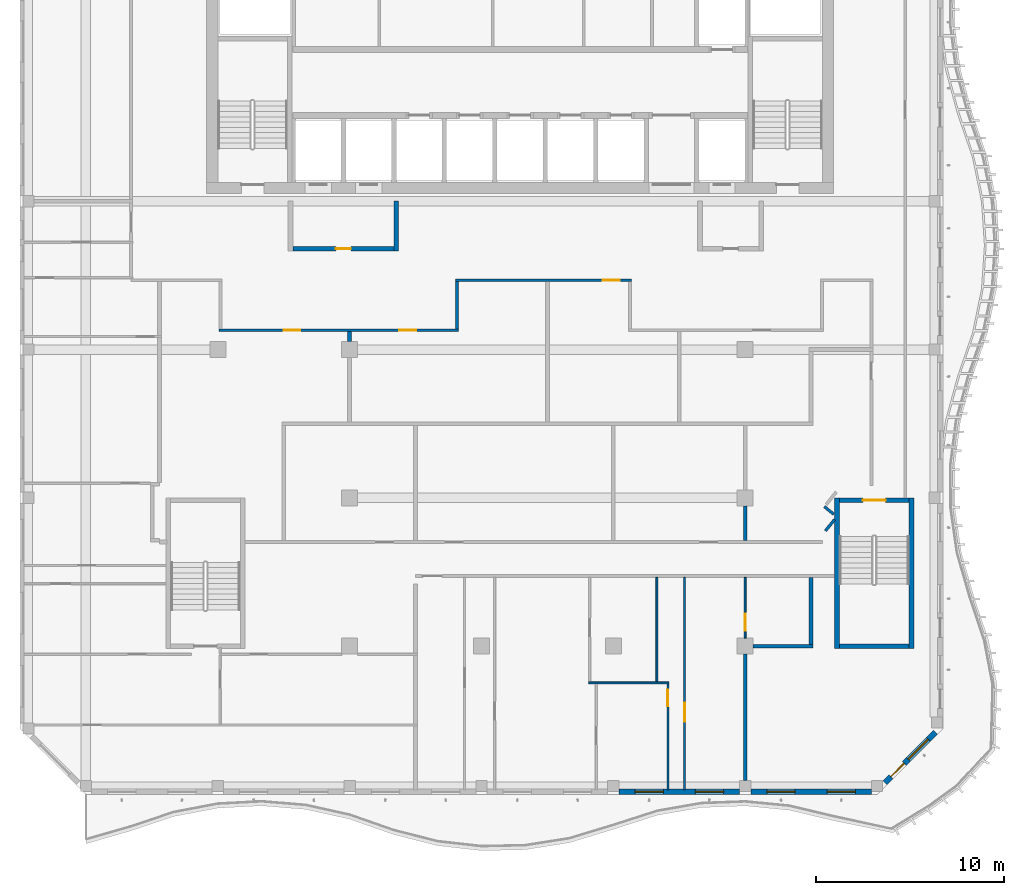
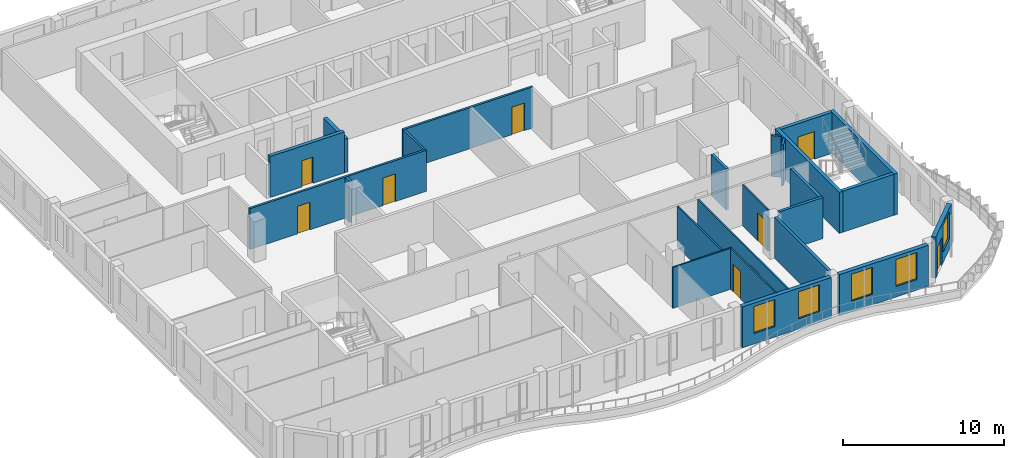
# One storey, part 4 of 17: 24 walls, 9 doors, 5 windows, 14 openings.
"""IFC4 building model written with IfcOpenShell, lengths in metres."""

import ifcopenshell
import ifcopenshell.guid

model = None  # the IFC model being written
_history = None  # IfcOwnerHistory: only IFC2X3 demands one
_inside = {}  # id of a spatial element -> (the spatial element, [elements in it])
_under = {}  # id of a project, library or spatial element -> (it, [spatial elements below it])
_declared = {}  # id of a project -> (the project, [libraries it declares])
_typed = {}  # id of a type object -> (the type object, [elements of that type])
_made_of = {}  # id of a material, layer set ... -> (it, [elements and type objects made of it])


def new_model(schema):
    """Start an empty IFC model of exactly this schema.

    Asked for "IFC4X3", IfcOpenShell would pick the latest addendum, in which some entities
    have other attributes; the version numbers below select the first issue.
    IFC2X3 requires an IfcOwnerHistory on every rooted entity: one is made here for all.
    """
    global model, _history
    if schema == "IFC4X3":
        model = ifcopenshell.file(schema_version=(4, 3, 0, 0))
    else:
        model = ifcopenshell.file(schema=schema)
    _inside.clear()
    _under.clear()
    _declared.clear()
    _typed.clear()
    _made_of.clear()
    _history = None
    if model.schema == "IFC2X3":
        org = make("IfcOrganization", Name="unknown")
        user = make(
            "IfcPersonAndOrganization",
            ThePerson=make("IfcPerson", FamilyName="unknown"),
            TheOrganization=org,
        )
        app = make(
            "IfcApplication",
            ApplicationDeveloper=org,
            Version="unknown",
            ApplicationFullName="unknown",
            ApplicationIdentifier="unknown",
        )
        _history = make(
            "IfcOwnerHistory",
            OwningUser=user,
            OwningApplication=app,
            ChangeAction="ADDED",
            CreationDate=0,
        )
    return model


def make(cls, **values):
    """One entity of the class cls with the attributes given. An attribute that is None is left unset."""
    return model.create_entity(
        cls, **{name: value for name, value in values.items() if value is not None}
    )


def rooted(cls, **values):
    """An entity with a GlobalId (a new one), such as an element, a storey or a relation."""
    return make(cls, GlobalId=ifcopenshell.guid.new(), OwnerHistory=_history, **values)


def si_unit(unit_type, name, prefix=None):
    """IfcSIUnit, for example si_unit("LENGTHUNIT", "METRE", prefix="MILLI")."""
    return make("IfcSIUnit", UnitType=unit_type, Prefix=prefix, Name=name)


def assignment(units):
    """IfcUnitAssignment: the units of a project."""
    return None if units is None else make("IfcUnitAssignment", Units=units)


def point(xyz):
    """IfcCartesianPoint."""
    return None if xyz is None else make("IfcCartesianPoint", Coordinates=xyz)


def direction(xyz):
    """IfcDirection."""
    return None if xyz is None else make("IfcDirection", DirectionRatios=xyz)


def frame(location, z_axis=None, x_axis=None):
    """IfcAxis2Placement3D, a coordinate frame: its origin and axes. An axis left out is left unset."""
    return make(
        "IfcAxis2Placement3D",
        Location=point(location),
        Axis=direction(z_axis),
        RefDirection=direction(x_axis),
    )


def frame_2d(location, x_axis=None):
    """IfcAxis2Placement2D, a coordinate frame in the plane: its origin and x axis."""
    return make(
        "IfcAxis2Placement2D", Location=point(location), RefDirection=direction(x_axis)
    )


def origin():
    """The frame at (0, 0, 0) with its axes left unset."""
    return frame((0.0, 0.0, 0.0))


def place(relative_to, where):
    """IfcLocalPlacement: puts the frame where relative to a parent placement (None: the world)."""
    return make(
        "IfcLocalPlacement", PlacementRelTo=relative_to, RelativePlacement=where
    )


def context(
    kind, dimensions, precision=None, world=None, true_north=None, identifier=None
):
    """IfcGeometricRepresentationContext, for example the 3D "Model" context."""
    return make(
        "IfcGeometricRepresentationContext",
        ContextIdentifier=identifier,
        ContextType=kind,
        CoordinateSpaceDimension=dimensions,
        Precision=precision,
        WorldCoordinateSystem=world,
        TrueNorth=true_north,
    )


def subcontext(parent, identifier, kind, view, scale=None):
    """IfcGeometricRepresentationSubContext, for example "Body" below "Model"."""
    return make(
        "IfcGeometricRepresentationSubContext",
        ContextIdentifier=identifier,
        ContextType=kind,
        ParentContext=parent,
        TargetScale=scale,
        TargetView=view,
    )


def project(units=None, contexts=None):
    """IfcProject with its units and contexts."""
    return rooted(
        "IfcProject",
        Name="project",
        RepresentationContexts=contexts,
        UnitsInContext=assignment(units),
    )


def spatial(cls, under=None, at=None, **own):
    """A site, building, storey or space (cls), placed at a placement, below another one or the project."""
    s = rooted(cls, ObjectPlacement=at, **own)
    if under is not None:
        _under.setdefault(under.id(), (under, []))[1].append(s)
    return s


def profile(cls, at=None, kind="AREA", **sizes):
    """A parametric profile (cls). Its sizes go by their IFC names, for example OverallWidth=200.0."""
    return make(cls, ProfileType=kind, Position=at, **sizes)


def rectangle(**sizes):
    """IfcRectangleProfileDef."""
    return profile("IfcRectangleProfileDef", **sizes)


def extrude(swept, where, along, depth):
    """IfcExtrudedAreaSolid: the profile swept, set in the frame where, extruded along a direction by depth."""
    return make(
        "IfcExtrudedAreaSolid",
        SweptArea=swept,
        Position=where,
        ExtrudedDirection=direction(along),
        Depth=depth,
    )


def shape(context_of_items, identifier, shape_type, items):
    """IfcShapeRepresentation: the items that make up one representation, for example the "Body"."""
    return make(
        "IfcShapeRepresentation",
        ContextOfItems=context_of_items,
        RepresentationIdentifier=identifier,
        RepresentationType=shape_type,
        Items=items,
    )


def source(mapping_origin, context_of_items, identifier, shape_type, items):
    """IfcRepresentationMap: a shape defined once, which mapped items show again and again."""
    return make(
        "IfcRepresentationMap",
        MappingOrigin=mapping_origin,
        MappedRepresentation=shape(context_of_items, identifier, shape_type, items),
    )


def transform(
    local_origin,
    x_axis=None,
    y_axis=None,
    z_axis=None,
    scale=None,
    scale2=None,
    scale3=None,
    uniform=True,
):
    """IfcCartesianTransformationOperator3D, or its non-uniform kind. x_axis, y_axis, z_axis: its Axis1, 2, 3."""
    if uniform:
        return make(
            "IfcCartesianTransformationOperator3D",
            Axis1=direction(x_axis),
            Axis2=direction(y_axis),
            LocalOrigin=point(local_origin),
            Scale=scale,
            Axis3=direction(z_axis),
        )
    return make(
        "IfcCartesianTransformationOperator3DnonUniform",
        Axis1=direction(x_axis),
        Axis2=direction(y_axis),
        LocalOrigin=point(local_origin),
        Scale=scale,
        Axis3=direction(z_axis),
        Scale2=scale2,
        Scale3=scale3,
    )


def mapped(mapping_source, mapping_target):
    """IfcMappedItem: shows the shape of a source again, moved by a transform."""
    return make(
        "IfcMappedItem", MappingSource=mapping_source, MappingTarget=mapping_target
    )


def material(Name=None, Category=None):
    """IfcMaterial."""
    return make("IfcMaterial", Name=Name, Category=Category)


def layer(
    of_material, thickness, ventilated=None, Name=None, Category=None, Priority=None
):
    """IfcMaterialLayer: one layer of a wall or slab, of a material (None: an air gap)."""
    return make(
        "IfcMaterialLayer",
        Material=of_material,
        LayerThickness=thickness,
        IsVentilated=ventilated,
        Name=Name,
        Category=Category,
        Priority=Priority,
    )


def layer_set(layers, Name=None):
    """IfcMaterialLayerSet."""
    return make("IfcMaterialLayerSet", MaterialLayers=layers, LayerSetName=Name)


def made_of(thing, what):
    """Note that an element or type object is made of a material, layer set ...; save() writes the relation."""
    if what is not None:
        _made_of.setdefault(what.id(), (what, []))[1].append(thing)
    return thing


def type_object(cls, material=None, **own):
    """A type object (cls), such as IfcWallType, which elements share."""
    return made_of(rooted(cls, **own), material)


def element(
    cls,
    number,
    at=None,
    inside=None,
    cuts=None,
    type_object=None,
    material=None,
    context=None,
    identifier="Body",
    shape_type=None,
    held_by="IfcProductDefinitionShape",
    body=None,
    shapes=None,
    **own,
):
    """One element of the class cls, such as IfcWall. Its Tag is "e" and its number.

    at: its placement. inside: the storey or other place that contains it. cuts: it is an
    opening in that element (IfcRelVoidsElement). A single representation is given by context,
    identifier, shape_type and body (its items); several are given by shapes. held_by: the class
    of the entity that holds the representations. save() writes the other relations.
    """
    e = rooted(cls, Tag="e%d" % number, ObjectPlacement=at, **own)
    if body is not None:
        shapes = [shape(context, identifier, shape_type, body)]
    if shapes is not None:
        e.Representation = make(held_by, Representations=shapes)
    if inside is not None:
        _inside.setdefault(inside.id(), (inside, []))[1].append(e)
    if cuts is not None:
        rooted(
            "IfcRelVoidsElement", RelatingBuildingElement=cuts, RelatedOpeningElement=e
        )
    if type_object is not None:
        _typed.setdefault(type_object.id(), (type_object, []))[1].append(e)
    return made_of(e, material)


def fill(opening, filler):
    """IfcRelFillsElement: the door or window that sits in an opening."""
    return rooted(
        "IfcRelFillsElement",
        RelatingOpeningElement=opening,
        RelatedBuildingElement=filler,
    )


def aggregate(whole, parts):
    """IfcRelAggregates: a whole, such as a stair, and the parts it consists of."""
    return rooted("IfcRelAggregates", RelatingObject=whole, RelatedObjects=parts)


def save(model, path):
    """Write the relations noted so far, then the file.

    IfcRelAggregates (storeys below a building ...), IfcRelContainedInSpatialStructure (elements
    in a storey), IfcRelDefinesByType, IfcRelAssociatesMaterial and IfcRelDeclares: one each for
    every whole, place, type object, material and project.
    """
    for whole, parts in _under.values():
        aggregate(whole, parts)
    for where, things in _inside.values():
        rooted(
            "IfcRelContainedInSpatialStructure",
            RelatedElements=things,
            RelatingStructure=where,
        )
    for kind, things in _typed.values():
        rooted("IfcRelDefinesByType", RelatedObjects=things, RelatingType=kind)
    for what, things in _made_of.values():
        rooted("IfcRelAssociatesMaterial", RelatedObjects=things, RelatingMaterial=what)
    for by, libraries in _declared.values():
        rooted("IfcRelDeclares", RelatingContext=by, RelatedDefinitions=libraries)
    model.write(path)


model = new_model("IFC4")

# Units and contexts
model_context = context("Model", 3, precision=1e-05, world=origin(), true_north=direction((0.0, 1.0)))
body_context = subcontext(model_context, "Body", "Model", "MODEL_VIEW")
ifc_project = project(units=[si_unit("LENGTHUNIT", "METRE"), si_unit("AREAUNIT", "SQUARE_METRE"), si_unit("VOLUMEUNIT", "CUBIC_METRE"), si_unit("PLANEANGLEUNIT", "RADIAN"), si_unit("MASSUNIT", "GRAM", prefix="KILO")], contexts=[model_context])

# Site, building, storey
site_placement = place(None, origin())
site = spatial("IfcSite", under=ifc_project, at=site_placement, CompositionType="ELEMENT")
building_placement = place(site_placement, origin())
building = spatial("IfcBuilding", under=site, at=building_placement, Name="Kilnfold Tower and Market Hall", CompositionType="ELEMENT")
storey_placement = place(building_placement, frame((0.0, 0.0, 305.199951171875)))
storey = spatial("IfcBuildingStorey", under=building, at=storey_placement, Name="L76", CompositionType="ELEMENT", Elevation=305.199951171875)

# Wall, openings, doors
ifc_material_1 = material(Name="Gypsum board on steel studs", Category="steel")
ifc_layer_1 = layer(ifc_material_1, 0.14990234375)
ifc_layer_set_1 = layer_set([ifc_layer_1], Name="Gypsum board on steel studs")
wall_type_1 = type_object("IfcWallType", Name="WALL CORRIDOR 150", PredefinedType="PARTITIONING", material=ifc_layer_set_1)
wall_1_placement = place(storey_placement, frame((-14.93505859375, 1.14990234375, 0.0), z_axis=(0.0, 0.0, 1.0), x_axis=(1.0, 0.0, 0.0)))
wall_1 = element("IfcWall", 1, at=wall_1_placement, inside=storey, type_object=wall_type_1, Name="Partition LY46.10", PredefinedType="PARTITIONING", context=body_context, shape_type="SweptSolid", body=[
    extrude(rectangle(XDim=12.7099609375, YDim=0.14990234375, at=frame_2d((6.35498046875, 0.0))), origin(), (0.0, 0.0, 1.0), 3.1201171875),
])
opening_1_placement = place(wall_1_placement, frame((3.426025390625, 0.0, 0.0)))
opening_1 = element("IfcOpeningElement", 2, at=opening_1_placement, cuts=wall_1, Name="Opening D2", PredefinedType="OPENING", context=body_context, shape_type="SweptSolid", body=[
    extrude(rectangle(XDim=0.89990234375, YDim=2.10009765625, at=frame_2d((0.449951171875, 1.050048828125))), frame((0.0, 0.0849609375, 0.0), z_axis=(0.0, -1.0, 0.0), x_axis=(1.0, 0.0, 0.0)), (0.0, 0.0, 1.0), 0.169921875),
])
opening_2_placement = place(wall_1_placement, frame((9.571044921875, 0.0, 0.0)))
opening_2 = element("IfcOpeningElement", 3, at=opening_2_placement, cuts=wall_1, Name="Opening D2", PredefinedType="OPENING", context=body_context, shape_type="SweptSolid", body=[
    extrude(rectangle(XDim=0.89990234375, YDim=2.10009765625, at=frame_2d((0.449951171875, 1.050048828125))), frame((0.0, 0.0849609375, 0.0), z_axis=(0.0, -1.0, 0.0), x_axis=(1.0, 0.0, 0.0)), (0.0, 0.0, 1.0), 0.169921875),
])
ifc_material_2 = material(Name="Timber veneer door leaf in steel frame", Category="steel")
door_type_1 = type_object("IfcDoorType", Name="DOOR ROOM 900 X2100", OperationType="NOTDEFINED", PredefinedType="DOOR", material=ifc_material_2)
door_1_placement = place(opening_1_placement, origin())
door_1 = element("IfcDoor", 4, at=door_1_placement, inside=storey, type_object=door_type_1, Name="Door D2", OperationType="SINGLE_SWING_LEFT", OverallHeight=2.10009765625, OverallWidth=0.89990234375, PredefinedType="DOOR", context=body_context, shape_type="SweptSolid", body=[
    extrude(rectangle(XDim=0.89990234375, YDim=2.10009765625, at=frame_2d((0.449951171875, 1.050048828125))), frame((0.0, 0.02490234375, 0.0), z_axis=(0.0, -1.0, 0.0), x_axis=(1.0, 0.0, 0.0)), (0.0, 0.0, 1.0), 0.050048828125),
])
fill(opening_1, door_1)
door_2_placement = place(opening_2_placement, origin())
door_2 = element("IfcDoor", 5, at=door_2_placement, inside=storey, type_object=door_type_1, Name="Door D2", OperationType="SINGLE_SWING_LEFT", OverallHeight=2.10009765625, OverallWidth=0.89990234375, PredefinedType="DOOR", context=body_context, shape_type="SweptSolid", body=[
    extrude(rectangle(XDim=0.89990234375, YDim=2.10009765625, at=frame_2d((0.449951171875, 1.050048828125))), frame((0.0, 0.02490234375, 0.0), z_axis=(0.0, -1.0, 0.0), x_axis=(1.0, 0.0, 0.0)), (0.0, 0.0, 1.0), 0.050048828125),
])
fill(opening_2, door_2)

# Wall, opening, door
wall_2_placement = place(storey_placement, frame((-2.375, 3.800048828125, 0.0), z_axis=(0.0, 0.0, 1.0), x_axis=(1.0, 0.0, 0.0)))
wall_2 = element("IfcWall", 6, at=wall_2_placement, inside=storey, type_object=wall_type_1, Name="Partition LY46.13", PredefinedType="PARTITIONING", context=body_context, shape_type="SweptSolid", body=[
    extrude(rectangle(XDim=9.330078125, YDim=0.14990234375, at=frame_2d((4.6650390625, 0.0))), origin(), (0.0, 0.0, 1.0), 3.1201171875),
])
opening_3_placement = place(wall_2_placement, frame((7.822021484375, 0.0, 0.0)))
opening_3 = element("IfcOpeningElement", 7, at=opening_3_placement, cuts=wall_2, Name="Opening D2", PredefinedType="OPENING", context=body_context, shape_type="SweptSolid", body=[
    extrude(rectangle(XDim=0.89990234375, YDim=2.10009765625, at=frame_2d((0.449951171875, 1.050048828125))), frame((0.0, 0.0849609375, 0.0), z_axis=(0.0, -1.0, 0.0), x_axis=(1.0, 0.0, 0.0)), (0.0, 0.0, 1.0), 0.169921875),
])
door_3_placement = place(opening_3_placement, origin())
door_3 = element("IfcDoor", 8, at=door_3_placement, inside=storey, type_object=door_type_1, Name="Door D2", OperationType="SINGLE_SWING_RIGHT", OverallHeight=2.10009765625, OverallWidth=0.89990234375, PredefinedType="DOOR", context=body_context, shape_type="SweptSolid", body=[
    extrude(rectangle(XDim=0.89990234375, YDim=2.10009765625, at=frame_2d((0.449951171875, 1.050048828125))), frame((0.0, 0.02490234375, 0.0), z_axis=(0.0, -1.0, 0.0), x_axis=(1.0, 0.0, 0.0)), (0.0, 0.0, 1.0), 0.050048828125),
])
fill(opening_3, door_3)

# Walls
wall_3_placement = place(storey_placement, frame((-2.300048828125, 1.22509765625, 0.0), z_axis=(0.0, 0.0, 1.0), x_axis=(0.0, 1.0, 0.0)))
element("IfcWall", 9, at=wall_3_placement, inside=storey, type_object=wall_type_1, Name="Partition LY46.14", PredefinedType="PARTITIONING", context=body_context, shape_type="SweptSolid", body=[
    extrude(rectangle(XDim=2.5, YDim=0.14990234375, at=frame_2d((1.25, 0.0))), origin(), (0.0, 0.0, 1.0), 3.1201171875),
])
wall_4_placement = place(storey_placement, frame((17.748046875, -8.902099609375, 0.0), z_axis=(0.0, 0.0, 1.0), x_axis=(-0.630342797145, -0.776316918589, 0.0)))
element("IfcWall", 10, at=wall_4_placement, inside=storey, type_object=wall_type_1, Name="Partition LY46.17", PredefinedType="PARTITIONING", context=body_context, shape_type="SweptSolid", body=[
    extrude(rectangle(XDim=0.772705078125, YDim=0.14990234375, at=frame_2d((0.38623046875, 0.0))), origin(), (0.0, 0.0, 1.0), 3.1201171875),
])
wall_5_placement = place(storey_placement, frame((17.2060546875, -8.218017578125, 0.0), z_axis=(0.0, 0.0, 1.0), x_axis=(0.776102288291, -0.630607039376, 0.0)))
element("IfcWall", 11, at=wall_5_placement, inside=storey, type_object=wall_type_1, Name="Partition LY46.18", PredefinedType="PARTITIONING", context=body_context, shape_type="SweptSolid", body=[
    extrude(rectangle(XDim=0.6376953125, YDim=0.14990234375, at=frame_2d((0.31884765625, 0.0))), origin(), (0.0, 0.0, 1.0), 3.1201171875),
])
ifc_material_3 = material(Name="Gypsum board on steel studs", Category="steel")
ifc_layer_2 = layer(ifc_material_3, 0.10009765625)
ifc_layer_set_2 = layer_set([ifc_layer_2], Name="Gypsum board on steel studs")
wall_type_2 = type_object("IfcWallType", Name="WALL PARTITION 100", PredefinedType="PARTITIONING", material=ifc_layer_set_2)
wall_6_placement = place(storey_placement, frame((4.68994140625, -17.575927734375, 0.0), z_axis=(0.0, 0.0, 1.0), x_axis=(1.0, 0.0, 0.0)))
element("IfcWall", 12, at=wall_6_placement, inside=storey, type_object=wall_type_2, Name="Partition LY46.50", PredefinedType="PARTITIONING", context=body_context, shape_type="SweptSolid", body=[
    extrude(rectangle(XDim=4.260009765625, YDim=0.10009765625, at=frame_2d((2.1298828125, 0.0))), origin(), (0.0, 0.0, 1.0), 3.1201171875),
])

# Wall, opening, door
wall_7_placement = place(storey_placement, frame((8.89990234375, -23.25, 0.0), z_axis=(0.0, 0.0, 1.0), x_axis=(0.0, 1.0, 0.0)))
wall_7 = element("IfcWall", 13, at=wall_7_placement, inside=storey, type_object=wall_type_2, Name="Partition LY46.51", PredefinedType="PARTITIONING", context=body_context, shape_type="SweptSolid", body=[
    extrude(rectangle(XDim=5.6240234375, YDim=0.10009765625, at=frame_2d((2.81201171875, 0.0))), origin(), (0.0, 0.0, 1.0), 3.1201171875),
])
opening_4_placement = place(wall_7_placement, frame((4.423095703125, 0.0, 0.0)))
opening_4 = element("IfcOpeningElement", 14, at=opening_4_placement, cuts=wall_7, Name="Opening D2", PredefinedType="OPENING", context=body_context, shape_type="SweptSolid", body=[
    extrude(rectangle(XDim=0.89990234375, YDim=2.10009765625, at=frame_2d((0.449951171875, 1.050048828125))), frame((0.0, 0.06005859375, 0.0), z_axis=(0.0, -1.0, 0.0), x_axis=(1.0, 0.0, 0.0)), (0.0, 0.0, 1.0), 0.1201171875),
])
door_4_placement = place(opening_4_placement, origin())
door_4 = element("IfcDoor", 15, at=door_4_placement, inside=storey, type_object=door_type_1, Name="Door D2", OperationType="SINGLE_SWING_LEFT", OverallHeight=2.10009765625, OverallWidth=0.89990234375, PredefinedType="DOOR", context=body_context, shape_type="SweptSolid", body=[
    extrude(rectangle(XDim=0.89990234375, YDim=2.10009765625, at=frame_2d((0.449951171875, 1.050048828125))), frame((0.0, 0.02490234375, 0.0), z_axis=(0.0, -1.0, 0.0), x_axis=(1.0, 0.0, 0.0)), (0.0, 0.0, 1.0), 0.050048828125),
])
fill(opening_4, door_4)

# Wall
wall_8_placement = place(storey_placement, frame((8.31005859375, -17.52587890625, 0.0), z_axis=(0.0, 0.0, 1.0), x_axis=(0.0, 1.0, 0.0)))
element("IfcWall", 16, at=wall_8_placement, inside=storey, type_object=wall_type_2, Name="Partition LY46.52", PredefinedType="PARTITIONING", context=body_context, shape_type="SweptSolid", body=[
    extrude(rectangle(XDim=5.548828125, YDim=0.10009765625, at=frame_2d((2.7744140625, 0.0))), origin(), (0.0, 0.0, 1.0), 3.1201171875),
])

# Wall, opening, door
wall_9_placement = place(storey_placement, frame((9.780029296875, -23.25, 0.0), z_axis=(0.0, 0.0, 1.0), x_axis=(0.0, 1.0, 0.0)))
wall_9 = element("IfcWall", 17, at=wall_9_placement, inside=storey, type_object=wall_type_2, Name="Partition LY46.53", PredefinedType="PARTITIONING", context=body_context, shape_type="SweptSolid", body=[
    extrude(rectangle(XDim=11.27294921875, YDim=0.10009765625, at=frame_2d((5.636474609375, 0.0))), origin(), (0.0, 0.0, 1.0), 3.1201171875),
])
opening_5_placement = place(wall_9_placement, frame((3.625, 0.0, 0.0)))
opening_5 = element("IfcOpeningElement", 18, at=opening_5_placement, cuts=wall_9, Name="Opening D1", PredefinedType="OPENING", context=body_context, shape_type="SweptSolid", body=[
    extrude(rectangle(XDim=1.0, YDim=2.10009765625, at=frame_2d((0.5, 1.050048828125))), frame((0.0, 0.06005859375, 0.0), z_axis=(0.0, -1.0, 0.0), x_axis=(1.0, 0.0, 0.0)), (0.0, 0.0, 1.0), 0.1201171875),
])
ifc_material_4 = material(Name="Timber veneer door leaf in steel frame", Category="steel")
door_type_2 = type_object("IfcDoorType", Name="DOOR ENTRY 1000 X2100", OperationType="NOTDEFINED", PredefinedType="DOOR", material=ifc_material_4)
door_5_placement = place(opening_5_placement, origin())
door_5 = element("IfcDoor", 19, at=door_5_placement, inside=storey, type_object=door_type_2, Name="Door D1", OperationType="SINGLE_SWING_LEFT", OverallHeight=2.10009765625, OverallWidth=1.0, PredefinedType="DOOR", context=body_context, shape_type="SweptSolid", body=[
    extrude(rectangle(XDim=1.0, YDim=2.10009765625, at=frame_2d((0.5, 1.050048828125))), frame((0.0, 0.02490234375, 0.0), z_axis=(0.0, -1.0, 0.0), x_axis=(1.0, 0.0, 0.0)), (0.0, 0.0, 1.0), 0.050048828125),
])
fill(opening_5, door_5)

wall_10_placement = place(storey_placement, frame((13.0, -15.199951171875, 0.0), z_axis=(0.0, 0.0, 1.0), x_axis=(0.0, 1.0, 0.0)))
wall_10 = element("IfcWall", 20, at=wall_10_placement, inside=storey, type_object=wall_type_2, Name="Partition LY46.54", PredefinedType="PARTITIONING", context=body_context, shape_type="SweptSolid", body=[
    extrude(rectangle(XDim=3.222900390625, YDim=0.10009765625, at=frame_2d((1.611328125, 0.0))), origin(), (0.0, 0.0, 1.0), 3.1201171875),
])
opening_6_placement = place(wall_10_placement, frame((0.402099609375, 0.0, 0.0)))
opening_6 = element("IfcOpeningElement", 21, at=opening_6_placement, cuts=wall_10, Name="Opening D2", PredefinedType="OPENING", context=body_context, shape_type="SweptSolid", body=[
    extrude(rectangle(XDim=0.89990234375, YDim=2.10009765625, at=frame_2d((0.449951171875, 1.050048828125))), frame((0.0, 0.06005859375, 0.0), z_axis=(0.0, -1.0, 0.0), x_axis=(1.0, 0.0, 0.0)), (0.0, 0.0, 1.0), 0.1201171875),
])
door_6_placement = place(opening_6_placement, origin())
door_6 = element("IfcDoor", 22, at=door_6_placement, inside=storey, type_object=door_type_1, Name="Door D2", OperationType="SINGLE_SWING_LEFT", OverallHeight=2.10009765625, OverallWidth=0.89990234375, PredefinedType="DOOR", context=body_context, shape_type="SweptSolid", body=[
    extrude(rectangle(XDim=0.89990234375, YDim=2.10009765625, at=frame_2d((0.449951171875, 1.050048828125))), frame((0.0, 0.02490234375, 0.0), z_axis=(0.0, -1.0, 0.0), x_axis=(1.0, 0.0, 0.0)), (0.0, 0.0, 1.0), 0.050048828125),
])
fill(opening_6, door_6)

# Walls
ifc_material_5 = material(Name="Gypsum board on steel studs", Category="steel")
ifc_layer_3 = layer(ifc_material_5, 0.199951171875)
ifc_layer_set_3 = layer_set([ifc_layer_3], Name="Gypsum board on steel studs")
wall_type_3 = type_object("IfcWallType", Name="WALL PARTY 200", PredefinedType="PARTITIONING", material=ifc_layer_set_3)
wall_11_placement = place(storey_placement, frame((13.0, -22.75, 0.0), z_axis=(0.0, 0.0, 1.0), x_axis=(0.0, 1.0, 0.0)))
element("IfcWall", 23, at=wall_11_placement, inside=storey, type_object=wall_type_3, Name="Partition LY46.55", PredefinedType="PARTITIONING", context=body_context, shape_type="SweptSolid", body=[
    extrude(rectangle(XDim=6.699951171875, YDim=0.199951171875, at=frame_2d((3.35009765625, 0.0))), origin(), (0.0, 0.0, 1.0), 3.1201171875),
])
wall_12_placement = place(storey_placement, frame((16.5, -15.52490234375, 0.0), z_axis=(0.0, 0.0, 1.0), x_axis=(0.0, 1.0, 0.0)))
element("IfcWall", 24, at=wall_12_placement, inside=storey, type_object=wall_type_3, Name="Partition LY46.56", PredefinedType="PARTITIONING", context=body_context, shape_type="SweptSolid", body=[
    extrude(rectangle(XDim=3.5478515625, YDim=0.199951171875, at=frame_2d((1.77392578125, 0.0))), origin(), (0.0, 0.0, 1.0), 3.1201171875),
])
wall_13_placement = place(storey_placement, frame((13.425048828125, -15.625, 0.0), z_axis=(0.0, 0.0, 1.0), x_axis=(1.0, 0.0, 0.0)))
element("IfcWall", 25, at=wall_13_placement, inside=storey, type_object=wall_type_3, Name="Partition LY46.57", PredefinedType="PARTITIONING", context=body_context, shape_type="SweptSolid", body=[
    extrude(rectangle(XDim=3.175048828125, YDim=0.199951171875, at=frame_2d((1.58740234375, 0.0))), origin(), (0.0, 0.0, 1.0), 3.1201171875),
])
wall_14_placement = place(storey_placement, frame((-8.0, 0.550048828125, 0.0), z_axis=(0.0, 0.0, 1.0), x_axis=(0.0, 1.0, 0.0)))
element("IfcWall", 26, at=wall_14_placement, inside=storey, type_object=wall_type_3, Name="Partition LY46.60", PredefinedType="PARTITIONING", context=body_context, shape_type="SweptSolid", body=[
    extrude(rectangle(XDim=0.52294921875, YDim=0.199951171875, at=frame_2d((0.261474609375, 0.0))), origin(), (0.0, 0.0, 1.0), 3.1201171875),
])
wall_15_placement = place(storey_placement, frame((13.0, -10.02294921875, 0.0), z_axis=(0.0, 0.0, 1.0), x_axis=(0.0, 1.0, 0.0)))
element("IfcWall", 27, at=wall_15_placement, inside=storey, type_object=wall_type_3, Name="Partition LY46.69", PredefinedType="PARTITIONING", context=body_context, shape_type="SweptSolid", body=[
    extrude(rectangle(XDim=1.847900390625, YDim=0.199951171875, at=frame_2d((0.923828125, 0.0))), origin(), (0.0, 0.0, 1.0), 3.1201171875),
])
ifc_material_6 = material(Name="Concrete C50", Category="concrete")
ifc_layer_4 = layer(ifc_material_6, 0.25)
ifc_layer_set_4 = layer_set([ifc_layer_4], Name="Concrete C50")
wall_type_4 = type_object("IfcWallType", Name="CORE WALL 250 C50", PredefinedType="SHEAR", material=ifc_layer_set_4)
shared_shape_1 = source(origin(), body_context, "Body", "SweptSolid", [
    extrude(rectangle(XDim=3.699951171875, YDim=0.25, at=frame_2d((1.85009765625, 0.0))), origin(), (0.0, 0.0, 1.0), 3.1201171875),
])
wall_16_placement = place(storey_placement, frame((18.0, -15.625, 0.0), z_axis=(0.0, 0.0, 1.0), x_axis=(1.0, 0.0, 0.0)))
element("IfcWall", 28, at=wall_16_placement, inside=storey, type_object=wall_type_4, Name="Stair enclosure ST4", PredefinedType="SHEAR", context=body_context, shape_type="MappedRepresentation", body=[
    mapped(shared_shape_1, transform((0.0, 0.0, 0.0))),
])

# Wall, opening, door
wall_17_placement = place(storey_placement, frame((18.0, -7.875, 0.0), z_axis=(0.0, 0.0, 1.0), x_axis=(1.0, 0.0, 0.0)))
wall_17 = element("IfcWall", 29, at=wall_17_placement, inside=storey, type_object=wall_type_4, Name="Stair enclosure ST4", PredefinedType="SHEAR", context=body_context, shape_type="MappedRepresentation", body=[
    mapped(shared_shape_1, transform((0.0, 0.0, 0.0))),
])
opening_7_placement = place(wall_17_placement, frame((1.25, 0.0, 0.0)))
opening_7 = element("IfcOpeningElement", 30, at=opening_7_placement, cuts=wall_17, Name="Opening SD1", PredefinedType="OPENING", context=body_context, shape_type="SweptSolid", body=[
    extrude(rectangle(XDim=1.199951171875, YDim=2.10009765625, at=frame_2d((0.60009765625, 1.050048828125))), frame((0.0, 0.135009765625, 0.0), z_axis=(0.0, -1.0, 0.0), x_axis=(1.0, 0.0, 0.0)), (0.0, 0.0, 1.0), 0.27001953125),
])
ifc_material_7 = material(Name="Steel door set with fire-resisting leaf", Category="steel")
door_type_3 = type_object("IfcDoorType", Name="STAIR FLOOR DOOR 1200X2100", OperationType="NOTDEFINED", PredefinedType="DOOR", material=ifc_material_7)
door_7_placement = place(opening_7_placement, origin())
door_7 = element("IfcDoor", 31, at=door_7_placement, inside=storey, type_object=door_type_3, Name="Exit stair ST4 door", OperationType="DOUBLE_DOOR_SINGLE_SWING", OverallHeight=2.10009765625, OverallWidth=1.199951171875, PredefinedType="DOOR", context=body_context, shape_type="SweptSolid", body=[
    extrude(rectangle(XDim=1.199951171875, YDim=2.10009765625, at=frame_2d((0.60009765625, 1.050048828125))), frame((0.0, 0.02490234375, 0.0), z_axis=(0.0, -1.0, 0.0), x_axis=(1.0, 0.0, 0.0)), (0.0, 0.0, 1.0), 0.050048828125),
])
fill(opening_7, door_7)

# Walls
shared_shape_2 = source(origin(), body_context, "Body", "SweptSolid", [
    extrude(rectangle(XDim=8.0, YDim=0.25, at=frame_2d((4.0, 0.0))), origin(), (0.0, 0.0, 1.0), 3.1201171875),
])
for number, where, z_axis, x_axis, name in (
    (32, (17.875, -15.75, 0.0), (0.0, 0.0, 1.0), (0.0, 1.0, 0.0), "Stair enclosure ST4"),
    (33, (21.824951171875, -15.75, 0.0), (0.0, 0.0, 1.0), (0.0, 1.0, 0.0), "Stair enclosure ST4"),
):
    element("IfcWall", number, at=place(storey_placement, frame(where, z_axis=z_axis, x_axis=x_axis)), inside=storey, type_object=wall_type_4, Name=name, PredefinedType="SHEAR", context=body_context, shape_type="MappedRepresentation", body=[
        mapped(shared_shape_2, transform((0.0, 0.0, 0.0))),
    ])

# Wall, openings, windows
ifc_material_8 = material(Name="Precast concrete C50/60", Category="concrete")
ifc_layer_5 = layer(ifc_material_8, 0.300048828125)
ifc_layer_set_5 = layer_set([ifc_layer_5], Name="Precast concrete C50/60")
wall_type_5 = type_object("IfcWallType", Name="PRECAST WALL 300", PredefinedType="SOLIDWALL", material=ifc_layer_set_5)
shared_shape_3 = source(origin(), body_context, "Body", "SweptSolid", [
    extrude(rectangle(XDim=6.39990234375, YDim=0.300048828125, at=frame_2d((3.199951171875, 0.0))), origin(), (0.0, 0.0, 1.0), 3.1201171875),
])
wall_18_placement = place(storey_placement, frame((6.300048828125, -23.35009765625, 0.0), z_axis=(0.0, 0.0, 1.0), x_axis=(1.0, 0.0, 0.0)))
wall_18 = element("IfcWall", 34, at=wall_18_placement, inside=storey, type_object=wall_type_5, Name="External wall L76 S", PredefinedType="SOLIDWALL", context=body_context, shape_type="MappedRepresentation", body=[
    mapped(shared_shape_3, transform((0.0, 0.0, 0.0))),
])
opening_8_placement = place(wall_18_placement, frame((0.85009765625, 0.0, 0.800048828125)))
opening_8 = element("IfcOpeningElement", 35, at=opening_8_placement, cuts=wall_18, Name="Opening W5", PredefinedType="OPENING", context=body_context, shape_type="SweptSolid", body=[
    extrude(rectangle(XDim=1.5, YDim=2.050048828125, at=frame_2d((0.75, 1.02490234375))), frame((0.0, 0.16015625, 0.0), z_axis=(0.0, -1.0, 0.0), x_axis=(1.0, 0.0, 0.0)), (0.0, 0.0, 1.0), 0.320068359375),
])
opening_9_placement = place(wall_18_placement, frame((4.050048828125, 0.0, 0.800048828125)))
opening_9 = element("IfcOpeningElement", 36, at=opening_9_placement, cuts=wall_18, Name="Opening W5", PredefinedType="OPENING", context=body_context, shape_type="SweptSolid", body=[
    extrude(rectangle(XDim=1.5, YDim=2.050048828125, at=frame_2d((0.75, 1.02490234375))), frame((0.0, 0.16015625, 0.0), z_axis=(0.0, -1.0, 0.0), x_axis=(1.0, 0.0, 0.0)), (0.0, 0.0, 1.0), 0.320068359375),
])
ifc_material_9 = material(Name="Aluminium frame and double glazing", Category="aluminium")
window_type = type_object("IfcWindowType", Name="WINDOW W5 1500X2050", PartitioningType="SINGLE_PANEL", PredefinedType="WINDOW", material=ifc_material_9)
window_1_placement = place(opening_8_placement, origin())
window_1 = element("IfcWindow", 37, at=window_1_placement, inside=storey, type_object=window_type, Name="Window W5 L76 S-1", OverallHeight=2.050048828125, OverallWidth=1.5, PartitioningType="SINGLE_PANEL", PredefinedType="WINDOW", context=body_context, shape_type="SweptSolid", body=[
    extrude(rectangle(XDim=1.5, YDim=2.050048828125, at=frame_2d((0.75, 1.02490234375))), frame((0.0, 0.030029296875, 0.0), z_axis=(0.0, -1.0, 0.0), x_axis=(1.0, 0.0, 0.0)), (0.0, 0.0, 1.0), 0.06005859375),
])
fill(opening_8, window_1)
window_2_placement = place(opening_9_placement, origin())
window_2 = element("IfcWindow", 38, at=window_2_placement, inside=storey, type_object=window_type, Name="Window W5 L76 S-2", OverallHeight=2.050048828125, OverallWidth=1.5, PartitioningType="SINGLE_PANEL", PredefinedType="WINDOW", context=body_context, shape_type="SweptSolid", body=[
    extrude(rectangle(XDim=1.5, YDim=2.050048828125, at=frame_2d((0.75, 1.02490234375))), frame((0.0, 0.030029296875, 0.0), z_axis=(0.0, -1.0, 0.0), x_axis=(1.0, 0.0, 0.0)), (0.0, 0.0, 1.0), 0.06005859375),
])
fill(opening_9, window_2)

wall_19_placement = place(storey_placement, frame((13.300048828125, -23.35009765625, 0.0), z_axis=(0.0, 0.0, 1.0), x_axis=(1.0, 0.0, 0.0)))
wall_19 = element("IfcWall", 39, at=wall_19_placement, inside=storey, type_object=wall_type_5, Name="External wall L76 S", PredefinedType="SOLIDWALL", context=body_context, shape_type="MappedRepresentation", body=[
    mapped(shared_shape_3, transform((0.0, 0.0, 0.0))),
])
opening_10_placement = place(wall_19_placement, frame((0.85009765625, 0.0, 0.800048828125)))
opening_10 = element("IfcOpeningElement", 40, at=opening_10_placement, cuts=wall_19, Name="Opening W5", PredefinedType="OPENING", context=body_context, shape_type="SweptSolid", body=[
    extrude(rectangle(XDim=1.5, YDim=2.050048828125, at=frame_2d((0.75, 1.02490234375))), frame((0.0, 0.16015625, 0.0), z_axis=(0.0, -1.0, 0.0), x_axis=(1.0, 0.0, 0.0)), (0.0, 0.0, 1.0), 0.320068359375),
])
opening_11_placement = place(wall_19_placement, frame((4.050048828125, 0.0, 0.800048828125)))
opening_11 = element("IfcOpeningElement", 41, at=opening_11_placement, cuts=wall_19, Name="Opening W5", PredefinedType="OPENING", context=body_context, shape_type="SweptSolid", body=[
    extrude(rectangle(XDim=1.5, YDim=2.050048828125, at=frame_2d((0.75, 1.02490234375))), frame((0.0, 0.16015625, 0.0), z_axis=(0.0, -1.0, 0.0), x_axis=(1.0, 0.0, 0.0)), (0.0, 0.0, 1.0), 0.320068359375),
])
window_3_placement = place(opening_10_placement, origin())
window_3 = element("IfcWindow", 42, at=window_3_placement, inside=storey, type_object=window_type, Name="Window W5 L76 S-1", OverallHeight=2.050048828125, OverallWidth=1.5, PartitioningType="SINGLE_PANEL", PredefinedType="WINDOW", context=body_context, shape_type="SweptSolid", body=[
    extrude(rectangle(XDim=1.5, YDim=2.050048828125, at=frame_2d((0.75, 1.02490234375))), frame((0.0, 0.030029296875, 0.0), z_axis=(0.0, -1.0, 0.0), x_axis=(1.0, 0.0, 0.0)), (0.0, 0.0, 1.0), 0.06005859375),
])
fill(opening_10, window_3)
window_4_placement = place(opening_11_placement, origin())
window_4 = element("IfcWindow", 43, at=window_4_placement, inside=storey, type_object=window_type, Name="Window W5 L76 S-2", OverallHeight=2.050048828125, OverallWidth=1.5, PartitioningType="SINGLE_PANEL", PredefinedType="WINDOW", context=body_context, shape_type="SweptSolid", body=[
    extrude(rectangle(XDim=1.5, YDim=2.050048828125, at=frame_2d((0.75, 1.02490234375))), frame((0.0, 0.030029296875, 0.0), z_axis=(0.0, -1.0, 0.0), x_axis=(1.0, 0.0, 0.0)), (0.0, 0.0, 1.0), 0.06005859375),
])
fill(opening_11, window_4)

# Wall, openings, door, window
shared_shape_4 = source(origin(), body_context, "Body", "SweptSolid", [
    extrude(rectangle(XDim=3.783203125, YDim=0.300048828125, at=frame_2d((1.8916015625, 0.0))), origin(), (0.0, 0.0, 1.0), 3.1201171875),
])
wall_20_placement = place(storey_placement, frame((20.4189453125, -22.868896484375, 0.0), z_axis=(0.0, 0.0, 1.0), x_axis=(0.707106781187, 0.707106781187, 0.0)))
wall_20 = element("IfcWall", 44, at=wall_20_placement, inside=storey, type_object=wall_type_5, Name="External wall L76 SE", PredefinedType="SOLIDWALL", context=body_context, shape_type="MappedRepresentation", body=[
    mapped(shared_shape_4, transform((0.0, 0.0, 0.0))),
])
opening_12_placement = place(wall_20_placement, frame((1.75, 0.0, 0.800048828125)))
opening_12 = element("IfcOpeningElement", 45, at=opening_12_placement, cuts=wall_20, Name="Opening W5", PredefinedType="OPENING", context=body_context, shape_type="SweptSolid", body=[
    extrude(rectangle(XDim=1.5, YDim=2.050048828125, at=frame_2d((0.75, 1.02490234375))), frame((0.0, 0.16015625, 0.0), z_axis=(0.0, -1.0, 0.0), x_axis=(1.0, 0.0, 0.0)), (0.0, 0.0, 1.0), 0.320068359375),
])
opening_13_placement = place(wall_20_placement, frame((0.449951171875, 0.0, 0.0)))
opening_13 = element("IfcOpeningElement", 46, at=opening_13_placement, cuts=wall_20, Name="Opening BD1", PredefinedType="OPENING", context=body_context, shape_type="SweptSolid", body=[
    extrude(rectangle(XDim=1.0, YDim=2.10009765625, at=frame_2d((0.5, 1.050048828125))), frame((0.0, 0.16015625, 0.0), z_axis=(0.0, -1.0, 0.0), x_axis=(1.0, 0.0, 0.0)), (0.0, 0.0, 1.0), 0.320068359375),
])
ifc_material_10 = material(Name="Aluminium frame and double glazing", Category="aluminium")
door_type_4 = type_object("IfcDoorType", Name="BALCONY DOOR 1000X2100", OperationType="NOTDEFINED", PredefinedType="DOOR", material=ifc_material_10)
door_8_placement = place(opening_13_placement, origin())
door_8 = element("IfcDoor", 47, at=door_8_placement, inside=storey, type_object=door_type_4, Name="Balcony door BD1 L76 SE-1", OperationType="SINGLE_SWING_LEFT", OverallHeight=2.10009765625, OverallWidth=1.0, PredefinedType="DOOR", context=body_context, shape_type="SweptSolid", body=[
    extrude(rectangle(XDim=1.0, YDim=2.10009765625, at=frame_2d((0.5, 1.050048828125))), frame((0.0, 0.02490234375, 0.0), z_axis=(0.0, -1.0, 0.0), x_axis=(1.0, 0.0, 0.0)), (0.0, 0.0, 1.0), 0.050048828125),
])
fill(opening_13, door_8)
window_5_placement = place(opening_12_placement, origin())
window_5 = element("IfcWindow", 48, at=window_5_placement, inside=storey, type_object=window_type, Name="Window W5 L76 SE-1", OverallHeight=2.050048828125, OverallWidth=1.5, PartitioningType="SINGLE_PANEL", PredefinedType="WINDOW", context=body_context, shape_type="SweptSolid", body=[
    extrude(rectangle(XDim=1.5, YDim=2.050048828125, at=frame_2d((0.75, 1.02490234375))), frame((0.0, 0.030029296875, 0.0), z_axis=(0.0, -1.0, 0.0), x_axis=(1.0, 0.0, 0.0)), (0.0, 0.0, 1.0), 0.06005859375),
])
fill(opening_12, window_5)

# Wall, opening, door
ifc_material_11 = material(Name="Gypsum shaft wall system")
ifc_layer_6 = layer(ifc_material_11, 0.25)
ifc_layer_set_6 = layer_set([ifc_layer_6], Name="Gypsum shaft wall system")
wall_type_6 = type_object("IfcWallType", Name="LOBBY WALL 250", PredefinedType="PARTITIONING", material=ifc_layer_set_6)
shared_shape_5 = source(origin(), body_context, "Body", "SweptSolid", [
    extrude(rectangle(XDim=5.360107421875, YDim=0.25, at=frame_2d((2.68017578125, 0.0))), origin(), (0.0, 0.0, 1.0), 3.1201171875),
])
wall_21_placement = place(storey_placement, frame((-11.010009765625, 5.47509765625, 0.0), z_axis=(0.0, 0.0, 1.0), x_axis=(1.0, 0.0, 0.0)))
wall_21 = element("IfcWall", 49, at=wall_21_placement, inside=storey, type_object=wall_type_6, Name="Firefighting lobby wall", PredefinedType="PARTITIONING", context=body_context, shape_type="MappedRepresentation", body=[
    mapped(shared_shape_5, transform((0.0, 0.0, 0.0))),
])
opening_14_placement = place(wall_21_placement, frame((2.280029296875, 0.0, 0.0)))
opening_14 = element("IfcOpeningElement", 50, at=opening_14_placement, cuts=wall_21, Name="Opening VD1", PredefinedType="OPENING", context=body_context, shape_type="SweptSolid", body=[
    extrude(rectangle(XDim=0.800048828125, YDim=2.0, at=frame_2d((0.39990234375, 1.0))), frame((0.0, 0.135009765625, 0.0), z_axis=(0.0, -1.0, 0.0), x_axis=(1.0, 0.0, 0.0)), (0.0, 0.0, 1.0), 0.27001953125),
])
ifc_material_12 = material(Name="Steel door set with fire-resisting leaf", Category="steel")
door_type_5 = type_object("IfcDoorType", Name="FIREFIGHTING LOBBY DOOR 800X2000", OperationType="NOTDEFINED", PredefinedType="DOOR", material=ifc_material_12)
door_9_placement = place(opening_14_placement, origin())
door_9 = element("IfcDoor", 51, at=door_9_placement, inside=storey, type_object=door_type_5, Name="Firefighting lobby door", OperationType="SINGLE_SWING_LEFT", OverallHeight=2.0, OverallWidth=0.800048828125, PredefinedType="DOOR", context=body_context, shape_type="SweptSolid", body=[
    extrude(rectangle(XDim=0.800048828125, YDim=2.0, at=frame_2d((0.39990234375, 1.0))), frame((0.0, 0.02490234375, 0.0), z_axis=(0.0, -1.0, 0.0), x_axis=(1.0, 0.0, 0.0)), (0.0, 0.0, 1.0), 0.050048828125),
])
fill(opening_14, door_9)

# Wall
shared_shape_6 = source(origin(), body_context, "Body", "SweptSolid", [
    extrude(rectangle(XDim=2.64990234375, YDim=0.25, at=frame_2d((1.324951171875, 0.0))), origin(), (0.0, 0.0, 1.0), 2.570068359375),
])
wall_22_placement = place(storey_placement, frame((-5.52490234375, 5.35009765625, 0.0), z_axis=(0.0, 0.0, 1.0), x_axis=(0.0, 1.0, 0.0)))
element("IfcWall", 52, at=wall_22_placement, inside=storey, type_object=wall_type_6, Name="Firefighting lobby wall", PredefinedType="PARTITIONING", context=body_context, shape_type="MappedRepresentation", body=[
    mapped(shared_shape_6, transform((0.0, 0.0, 0.0))),
])

save(model, "model.ifc")
